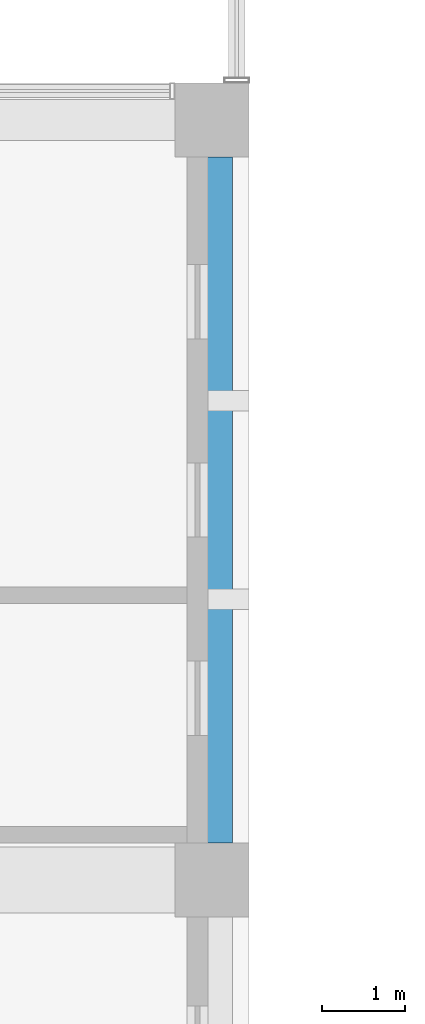
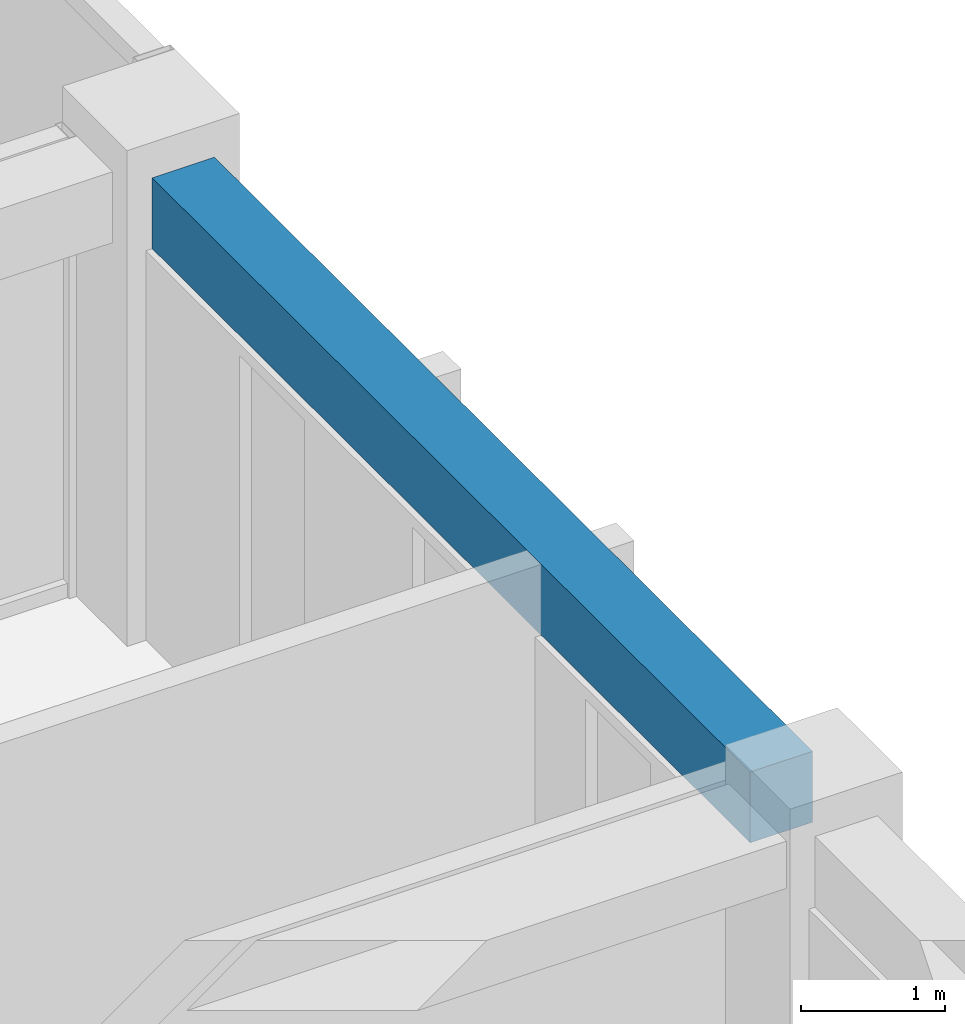
# One storey, part 15 of 37: 1 beam.
"""IFC4 building model written with IfcOpenShell, lengths in metres."""

from ifc_helpers import new_model, si_unit, direction, frame, origin, origin_2d, place, context, subcontext, project, spatial, rectangle, extrude, material, material_profile, profile_set, type_object, element, save


model = new_model("IFC4")

# Units and contexts
model_context = context("Model", 3, precision=1e-05, world=origin(), true_north=direction((0.0, 1.0)))
body_context = subcontext(model_context, "Body", "Model", "MODEL_VIEW")
ifc_project = project(units=[si_unit("LENGTHUNIT", "METRE"), si_unit("AREAUNIT", "SQUARE_METRE"), si_unit("VOLUMEUNIT", "CUBIC_METRE"), si_unit("PLANEANGLEUNIT", "RADIAN"), si_unit("MASSUNIT", "GRAM", prefix="KILO")], contexts=[model_context])

# Site, building, storey
site_placement = place(None, origin())
site = spatial("IfcSite", under=ifc_project, at=site_placement, CompositionType="ELEMENT")
building_placement = place(site_placement, origin())
building = spatial("IfcBuilding", under=site, at=building_placement, Name="Nzadi Deep Aquarium and Research Tower", CompositionType="ELEMENT")
storey_placement = place(building_placement, frame((0.0, 0.0, 57.10009765625)))
storey = spatial("IfcBuildingStorey", under=building, at=storey_placement, Name="L11", CompositionType="ELEMENT", Elevation=57.10009765625)

# Beam
ifc_material = material(Name="Concrete C35/45", Category="concrete")
ifc_material_profile = material_profile(ifc_material, rectangle(XDim=0.5, YDim=0.60009765625, at=origin_2d()))
ifc_profile_set = profile_set([ifc_material_profile], Name="Concrete C35/45")
beam_type = type_object("IfcBeamType", Name="RC 500x600", PredefinedType="BEAM", material=ifc_profile_set)
beam_placement = place(storey_placement, frame((48.0, 9.64990234375, 3.599853515625), z_axis=(0.0, 1.0, 0.0), x_axis=(-1.0, 0.0, 0.0)))
element("IfcBeam", 1, at=beam_placement, inside=storey, type_object=beam_type, Name="B-Z1-L11-CF-2-1", PredefinedType="BEAM", context=body_context, shape_type="SweptSolid", body=[
    extrude(rectangle(XDim=0.5, YDim=0.60009765625, at=origin_2d()), origin(), (0.0, 0.0, 1.0), 8.300048828125),
])

save(model, "model.ifc")
